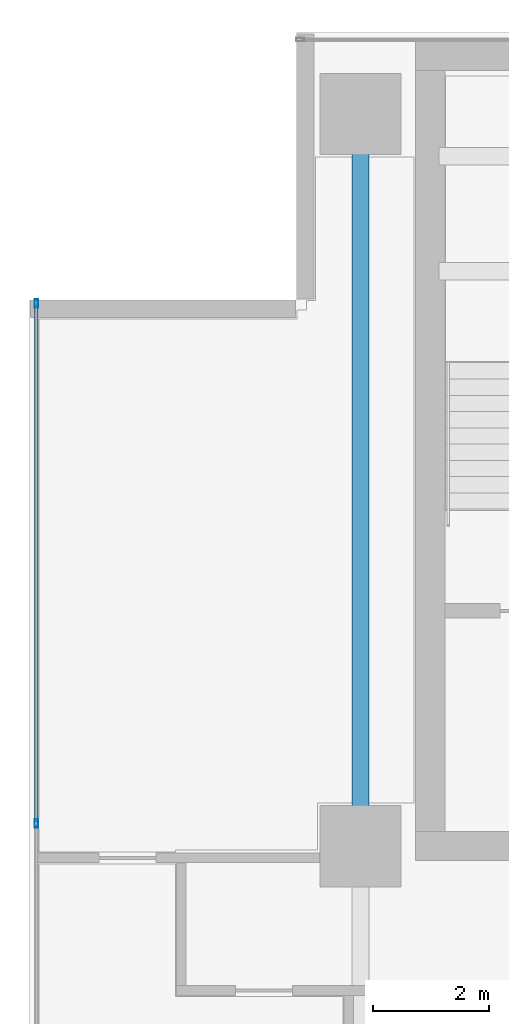
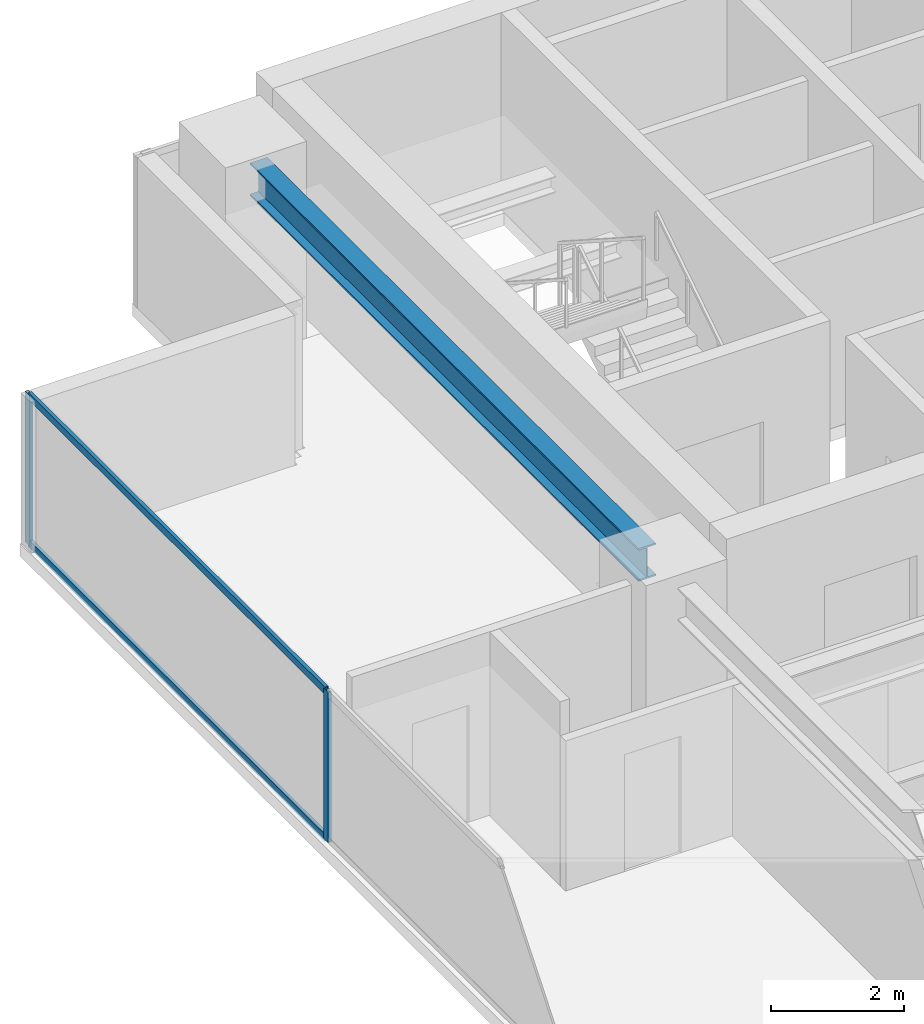
# One storey, part 9 of 26: 4 members, 1 beam, 1 element without a shape of its own.
"""IFC4 building model written with IfcOpenShell, lengths in metres."""

from ifc_helpers import new_model, si_unit, direction, frame, origin, origin_2d, place, context, subcontext, project, spatial, hollow_rectangle, i_section, extrude, source, transform, mapped, material, layer, layer_set, material_profile, profile_set, type_object, element, aggregate, save


model = new_model("IFC4")

# Units and contexts
model_context = context("Model", 3, precision=1e-05, world=origin(), true_north=direction((0.0, 1.0)))
body_context = subcontext(model_context, "Body", "Model", "MODEL_VIEW")
ifc_project = project(units=[si_unit("LENGTHUNIT", "METRE"), si_unit("AREAUNIT", "SQUARE_METRE"), si_unit("VOLUMEUNIT", "CUBIC_METRE"), si_unit("PLANEANGLEUNIT", "RADIAN"), si_unit("MASSUNIT", "GRAM", prefix="KILO")], contexts=[model_context])

# Site, building, storey
site_placement = place(None, origin())
site = spatial("IfcSite", under=ifc_project, at=site_placement, CompositionType="ELEMENT")
building_placement = place(site_placement, origin())
building = spatial("IfcBuilding", under=site, at=building_placement, Name="Sumidabori Civic Tower", CompositionType="ELEMENT")
storey_placement = place(building_placement, frame((0.0, 0.0, 254.0)))
storey = spatial("IfcBuildingStorey", under=building, at=storey_placement, Name="L66", CompositionType="ELEMENT", Elevation=254.0)

# Beam
ifc_material_1 = material(Name="Steel SN490", Category="steel")
ifc_material_profile_1 = material_profile(ifc_material_1, i_section(OverallWidth=0.300048828125, OverallDepth=0.60009765625, WebThickness=0.015380859375, FlangeThickness=0.030029296875, at=origin_2d()), Name="HE 600 B")
ifc_profile_set_1 = profile_set([ifc_material_profile_1], Name="Steel SN490")
beam_type = type_object("IfcBeamType", Name="BM-GIRD-600", PredefinedType="BEAM", material=ifc_profile_set_1)
shared_shape_1 = source(origin(), body_context, "Body", "SweptSolid", [
    extrude(i_section(OverallWidth=0.300048828125, OverallDepth=0.60009765625, WebThickness=0.015380859375, FlangeThickness=0.030029296875, at=origin_2d()), origin(), (0.0, 0.0, 1.0), 11.64013671875),
])
beam_placement = place(storey_placement, frame((-16.800048828125, 10.679931640625, 3.070068359375), z_axis=(0.0, 1.0, 0.0), x_axis=(-1.0, 0.0, 0.0)))
element("IfcBeam", 1, at=beam_placement, inside=storey, type_object=beam_type, Name="Primary Girder L66 GY-11", PredefinedType="BEAM", context=body_context, shape_type="MappedRepresentation", body=[
    mapped(shared_shape_1, transform((0.0, 0.0, 0.0), x_axis=(1.0, 0.0, 0.0), y_axis=(0.0, 1.0, 0.0), z_axis=(0.0, 0.0, 1.0), scale=1.0)),
])

# Curtain wall, members
ifc_material_2 = material(Name="Anodised Bronze Aluminium AW-6063-T6", Category="aluminium")
ifc_layer = layer(ifc_material_2, 0.179931640625, Name="Anodised Bronze Aluminium AW-6063-T6")
ifc_layer_set = layer_set([ifc_layer], Name="Anodised Bronze Aluminium AW-6063-T6")
curtain_wall_type = type_object("IfcCurtainWallType", Name="CW-SYS-5", PredefinedType="NOTDEFINED", material=ifc_layer_set)
curtain_wall_placement = place(storey_placement, origin())
curtain_wall = element("IfcCurtainWall", 2, at=curtain_wall_placement, inside=storey, type_object=curtain_wall_type, Name="Curtain Wall CW:L66:R10", PredefinedType="NOTDEFINED")
ifc_material_profile_2 = material_profile(ifc_material_2, hollow_rectangle(XDim=0.06005859375, YDim=0.139892578125, WallThickness=0.0048828125, at=origin_2d()), Name="ALU MULLION 140x60")
ifc_profile_set_2 = profile_set([ifc_material_profile_2], Name="Anodised Bronze Aluminium AW-6063-T6")
member_type_1 = type_object("IfcMemberType", Name="CW-MUL-140", PredefinedType="MULLION", material=ifc_profile_set_2)
shared_shape_2 = source(origin(), body_context, "Body", "SweptSolid", [
    extrude(hollow_rectangle(XDim=0.06005859375, YDim=0.139892578125, WallThickness=0.0048828125, at=origin_2d()), origin(), (0.0, 0.0, 1.0), 2.75),
])
member_1_placement = place(storey_placement, frame((-22.3798828125, 19.5400390625, 0.0), z_axis=(0.0, 0.0, 1.0), x_axis=(1.0, 0.0, 0.0)))
member_1 = element("IfcMember", 3, at=member_1_placement, type_object=member_type_1, Name="CW-5 mullion 1", PredefinedType="MULLION", context=body_context, shape_type="MappedRepresentation", body=[
    mapped(shared_shape_2, transform((0.0, 0.0, 0.0), x_axis=(1.0, 0.0, 0.0), y_axis=(0.0, 1.0, 0.0), z_axis=(0.0, 0.0, 1.0), scale=1.0)),
])
member_2_placement = place(storey_placement, frame((-22.3798828125, 10.590087890625, 0.0), z_axis=(0.0, 0.0, 1.0), x_axis=(1.0, 0.0, 0.0)))
member_2 = element("IfcMember", 4, at=member_2_placement, type_object=member_type_1, Name="CW-5 mullion 2", PredefinedType="MULLION", context=body_context, shape_type="MappedRepresentation", body=[
    mapped(shared_shape_2, transform((0.0, 0.0, 0.0), x_axis=(1.0, 0.0, 0.0), y_axis=(0.0, 1.0, 0.0), z_axis=(0.0, 0.0, 1.0), scale=1.0)),
])
ifc_material_profile_3 = material_profile(ifc_material_2, hollow_rectangle(XDim=0.06005859375, YDim=0.1298828125, WallThickness=0.0048828125, at=origin_2d()), Name="ALU TRANSOM 130x60")
ifc_profile_set_3 = profile_set([ifc_material_profile_3], Name="Anodised Bronze Aluminium AW-6063-T6")
member_type_2 = type_object("IfcMemberType", Name="CW-TRN-130", PredefinedType="USERDEFINED", material=ifc_profile_set_3)
shared_shape_3 = source(origin(), body_context, "Body", "SweptSolid", [
    extrude(hollow_rectangle(XDim=0.06005859375, YDim=0.1298828125, WallThickness=0.0048828125, at=origin_2d()), origin(), (0.0, 0.0, 1.0), 8.889892578125),
])
member_3_placement = place(storey_placement, frame((-22.3798828125, 19.510009765625, 0.030029296875), z_axis=(0.0, -1.0, 0.0), x_axis=(1.0, 0.0, 0.0)))
member_3 = element("IfcMember", 5, at=member_3_placement, type_object=member_type_2, Name="CW-5 transom 1.1", ObjectType="TRANSOM", PredefinedType="USERDEFINED", context=body_context, shape_type="MappedRepresentation", body=[
    mapped(shared_shape_3, transform((0.0, 0.0, 0.0), x_axis=(1.0, 0.0, 0.0), y_axis=(0.0, 1.0, 0.0), z_axis=(0.0, 0.0, 1.0), scale=1.0)),
])
member_4_placement = place(storey_placement, frame((-22.3798828125, 19.510009765625, 2.719970703125), z_axis=(0.0, -1.0, 0.0), x_axis=(1.0, 0.0, 0.0)))
member_4 = element("IfcMember", 6, at=member_4_placement, type_object=member_type_2, Name="CW-5 transom 1.2", ObjectType="TRANSOM", PredefinedType="USERDEFINED", context=body_context, shape_type="MappedRepresentation", body=[
    mapped(shared_shape_3, transform((0.0, 0.0, 0.0), x_axis=(1.0, 0.0, 0.0), y_axis=(0.0, 1.0, 0.0), z_axis=(0.0, 0.0, 1.0), scale=1.0)),
])
aggregate(curtain_wall, [member_1, member_2, member_3, member_4])

save(model, "model.ifc")
